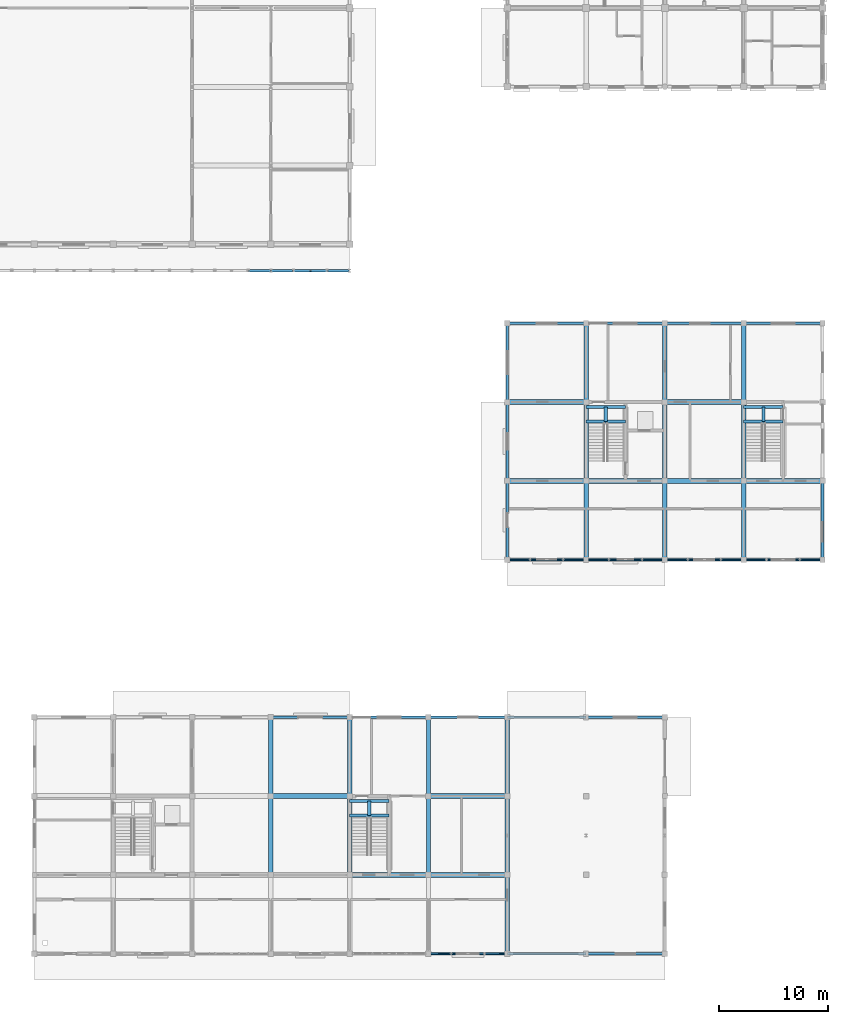
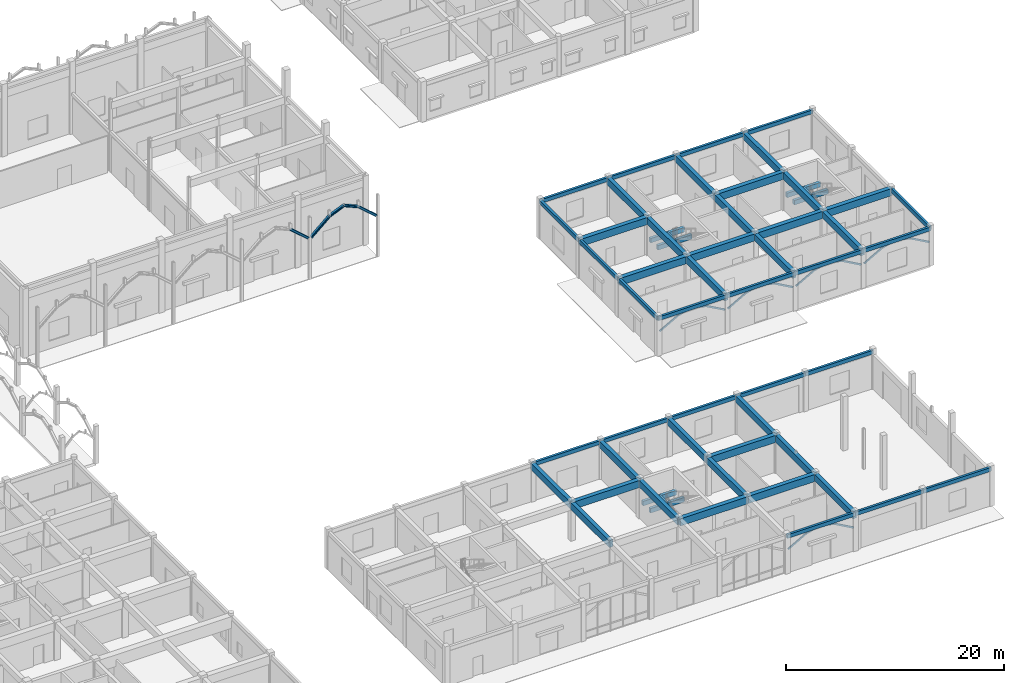
# One storey, part 20 of 138: 57 beams, 25 members.
"""IFC4 building model written with IfcOpenShell, lengths in metres."""

from ifc_helpers import new_model, si_unit, direction, frame, origin, origin_2d, place, context, subcontext, project, spatial, rectangle, hollow_rectangle, i_section, extrude, material, material_profile, profile_set, type_object, element, save


model = new_model("IFC4")

# Units and contexts
model_context = context("Model", 3, precision=1e-05, world=origin(), true_north=direction((0.0, 1.0)))
body_context = subcontext(model_context, "Body", "Model", "MODEL_VIEW")
ifc_project = project(units=[si_unit("LENGTHUNIT", "METRE"), si_unit("AREAUNIT", "SQUARE_METRE"), si_unit("VOLUMEUNIT", "CUBIC_METRE"), si_unit("PLANEANGLEUNIT", "RADIAN"), si_unit("MASSUNIT", "GRAM", prefix="KILO"), si_unit("THERMODYNAMICTEMPERATUREUNIT", "KELVIN"), si_unit("POWERUNIT", "WATT")], contexts=[model_context])

# Site, building, storey
site_placement = place(None, origin())
site = spatial("IfcSite", under=ifc_project, at=site_placement, CompositionType="ELEMENT")
building_placement = place(site_placement, origin())
building = spatial("IfcBuilding", under=site, at=building_placement, Name="Tavuni Mirador Residences", CompositionType="ELEMENT")
storey_placement = place(building_placement, origin())
storey = spatial("IfcBuildingStorey", under=building, at=storey_placement, Name="L00", CompositionType="ELEMENT", Elevation=0.0)

# Beams
ifc_material_1 = material(Name="Precast concrete C40/50", Category="concrete")
ifc_material_profile_1 = material_profile(ifc_material_1, rectangle(XDim=0.300048828125, YDim=0.5, at=origin_2d()), Name="PC 300x500", Category="concrete")
ifc_profile_set_1 = profile_set([ifc_material_profile_1], Name="Precast concrete C40/50")
beam_type_1 = type_object("IfcBeamType", Name="BT-B500", PredefinedType="BEAM", material=ifc_profile_set_1)
for number, where, z_axis, x_axis, name in (
    (1, (75.60009765625, 19.820068359375, 1.820068359375), (1.0, 0.0, 0.0), (0.0, 1.0, 0.0), "HLB1-CS2-L00"),
    (2, (75.60009765625, 21.14990234375, 1.820068359375), (1.0, 0.0, 0.0), (0.0, 1.0, 0.0), "HLB2-CS2-L00"),
):
    element("IfcBeam", number, at=place(storey_placement, frame(where, z_axis=z_axis, x_axis=x_axis)), inside=storey, type_object=beam_type_1, Name=name, PredefinedType="BEAM", context=body_context, shape_type="SweptSolid", body=[
        extrude(rectangle(XDim=0.300048828125, YDim=0.5, at=origin_2d()), origin(), (0.0, 0.0, 1.0), 3.599853515625),
    ])
beam_1_placement = place(storey_placement, frame((77.39990234375, 19.820068359375, 1.820068359375), z_axis=(0.0, 1.0, 0.0), x_axis=(-1.0, 0.0, 0.0)))
element("IfcBeam", 3, at=beam_1_placement, inside=storey, type_object=beam_type_1, Name="HLB3-CS2-L00", PredefinedType="BEAM", context=body_context, shape_type="SweptSolid", body=[
    extrude(rectangle(XDim=0.300048828125, YDim=0.5, at=origin_2d()), origin(), (0.0, 0.0, 1.0), 1.329833984375),
])
for number, where, z_axis, x_axis, name in (
    (4, (97.199951171875, 55.820068359375, 1.820068359375), (1.0, 0.0, 0.0), (0.0, 1.0, 0.0), "HLB1-CN1-L00"),
    (5, (97.199951171875, 57.14990234375, 1.820068359375), (1.0, 0.0, 0.0), (0.0, 1.0, 0.0), "HLB2-CN1-L00"),
):
    element("IfcBeam", number, at=place(storey_placement, frame(where, z_axis=z_axis, x_axis=x_axis)), inside=storey, type_object=beam_type_1, Name=name, PredefinedType="BEAM", context=body_context, shape_type="SweptSolid", body=[
        extrude(rectangle(XDim=0.300048828125, YDim=0.5, at=origin_2d()), origin(), (0.0, 0.0, 1.0), 3.60009765625),
    ])
beam_2_placement = place(storey_placement, frame((99.0, 55.820068359375, 1.820068359375), z_axis=(0.0, 1.0, 0.0), x_axis=(-1.0, 0.0, 0.0)))
element("IfcBeam", 6, at=beam_2_placement, inside=storey, type_object=beam_type_1, Name="HLB3-CN1-L00", PredefinedType="BEAM", context=body_context, shape_type="SweptSolid", body=[
    extrude(rectangle(XDim=0.300048828125, YDim=0.5, at=origin_2d()), origin(), (0.0, 0.0, 1.0), 1.329833984375),
])
for number, where, z_axis, x_axis, name in (
    (7, (111.60009765625, 55.820068359375, 1.820068359375), (1.0, 0.0, 0.0), (0.0, 1.0, 0.0), "HLB1-CN2-L00"),
    (8, (111.60009765625, 57.14990234375, 1.820068359375), (1.0, 0.0, 0.0), (0.0, 1.0, 0.0), "HLB2-CN2-L00"),
):
    element("IfcBeam", number, at=place(storey_placement, frame(where, z_axis=z_axis, x_axis=x_axis)), inside=storey, type_object=beam_type_1, Name=name, PredefinedType="BEAM", context=body_context, shape_type="SweptSolid", body=[
        extrude(rectangle(XDim=0.300048828125, YDim=0.5, at=origin_2d()), origin(), (0.0, 0.0, 1.0), 3.599853515625),
    ])
beam_3_placement = place(storey_placement, frame((113.39990234375, 55.820068359375, 1.820068359375), z_axis=(0.0, 1.0, 0.0), x_axis=(-1.0, 0.0, 0.0)))
element("IfcBeam", 9, at=beam_3_placement, inside=storey, type_object=beam_type_1, Name="HLB3-CN2-L00", PredefinedType="BEAM", context=body_context, shape_type="SweptSolid", body=[
    extrude(rectangle(XDim=0.300048828125, YDim=0.5, at=origin_2d()), origin(), (0.0, 0.0, 1.0), 1.329833984375),
])
ifc_material_profile_2 = material_profile(ifc_material_1, rectangle(XDim=0.39990234375, YDim=0.75, at=origin_2d()), Name="RC 400x750", Category="concrete")
ifc_profile_set_2 = profile_set([ifc_material_profile_2], Name="Precast concrete C40/50")
beam_type_2 = type_object("IfcBeamType", Name="BT-G750", PredefinedType="USERDEFINED", material=ifc_profile_set_2)
beam_4_placement = place(storey_placement, frame((97.199951171875, 43.199951171875, 3.885009765625), z_axis=(0.0, 1.0, 0.0), x_axis=(-1.0, 0.0, 0.0)))
element("IfcBeam", 10, at=beam_4_placement, inside=storey, type_object=beam_type_2, Name="BMY-PAV-NURS-L00-01-00", ObjectType="GIRDER", PredefinedType="USERDEFINED", context=body_context, shape_type="SweptSolid", body=[
    extrude(rectangle(XDim=0.39990234375, YDim=0.75, at=origin_2d()), origin(), (0.0, 0.0, 1.0), 7.199951171875),
])
beam_5_placement = place(storey_placement, frame((97.199951171875, 50.39990234375, 3.885009765625), z_axis=(0.0, 1.0, 0.0), x_axis=(-1.0, 0.0, 0.0)))
element("IfcBeam", 11, at=beam_5_placement, inside=storey, type_object=beam_type_2, Name="BMY-PAV-NURS-L00-01-01", ObjectType="GIRDER", PredefinedType="USERDEFINED", context=body_context, shape_type="SweptSolid", body=[
    extrude(rectangle(XDim=0.39990234375, YDim=0.75, at=origin_2d()), origin(), (0.0, 0.0, 1.0), 7.2001953125),
])
for number, where, z_axis, x_axis, name in (
    (12, (97.199951171875, 57.60009765625, 3.885009765625), (0.0, 1.0, 0.0), (-1.0, 0.0, 0.0), "BMY-PAV-NURS-L00-01-02"),
    (13, (104.39990234375, 43.199951171875, 3.885009765625), (0.0, 1.0, 0.0), (-1.0, 0.0, 0.0), "BMY-PAV-NURS-L00-02-00"),
):
    element("IfcBeam", number, at=place(storey_placement, frame(where, z_axis=z_axis, x_axis=x_axis)), inside=storey, type_object=beam_type_2, Name=name, ObjectType="GIRDER", PredefinedType="USERDEFINED", context=body_context, shape_type="SweptSolid", body=[
        extrude(rectangle(XDim=0.39990234375, YDim=0.75, at=origin_2d()), origin(), (0.0, 0.0, 1.0), 7.199951171875),
    ])
beam_6_placement = place(storey_placement, frame((104.39990234375, 50.39990234375, 3.885009765625), z_axis=(0.0, 1.0, 0.0), x_axis=(-1.0, 0.0, 0.0)))
element("IfcBeam", 14, at=beam_6_placement, inside=storey, type_object=beam_type_2, Name="BMY-PAV-NURS-L00-02-01", ObjectType="GIRDER", PredefinedType="USERDEFINED", context=body_context, shape_type="SweptSolid", body=[
    extrude(rectangle(XDim=0.39990234375, YDim=0.75, at=origin_2d()), origin(), (0.0, 0.0, 1.0), 7.2001953125),
])
for number, where, z_axis, x_axis, name in (
    (15, (104.39990234375, 57.60009765625, 3.885009765625), (0.0, 1.0, 0.0), (-1.0, 0.0, 0.0), "BMY-PAV-NURS-L00-02-02"),
    (16, (111.60009765625, 43.199951171875, 3.885009765625), (0.0, 1.0, 0.0), (-1.0, 0.0, 0.0), "BMY-PAV-NURS-L00-03-00"),
):
    element("IfcBeam", number, at=place(storey_placement, frame(where, z_axis=z_axis, x_axis=x_axis)), inside=storey, type_object=beam_type_2, Name=name, ObjectType="GIRDER", PredefinedType="USERDEFINED", context=body_context, shape_type="SweptSolid", body=[
        extrude(rectangle(XDim=0.39990234375, YDim=0.75, at=origin_2d()), origin(), (0.0, 0.0, 1.0), 7.199951171875),
    ])
beam_7_placement = place(storey_placement, frame((111.60009765625, 50.39990234375, 3.885009765625), z_axis=(0.0, 1.0, 0.0), x_axis=(-1.0, 0.0, 0.0)))
element("IfcBeam", 17, at=beam_7_placement, inside=storey, type_object=beam_type_2, Name="BMY-PAV-NURS-L00-03-01", ObjectType="GIRDER", PredefinedType="USERDEFINED", context=body_context, shape_type="SweptSolid", body=[
    extrude(rectangle(XDim=0.39990234375, YDim=0.75, at=origin_2d()), origin(), (0.0, 0.0, 1.0), 7.2001953125),
])
beam_8_placement = place(storey_placement, frame((111.60009765625, 57.60009765625, 3.885009765625), z_axis=(0.0, 1.0, 0.0), x_axis=(-1.0, 0.0, 0.0)))
element("IfcBeam", 18, at=beam_8_placement, inside=storey, type_object=beam_type_2, Name="BMY-PAV-NURS-L00-03-02", ObjectType="GIRDER", PredefinedType="USERDEFINED", context=body_context, shape_type="SweptSolid", body=[
    extrude(rectangle(XDim=0.39990234375, YDim=0.75, at=origin_2d()), origin(), (0.0, 0.0, 1.0), 7.199951171875),
])
beam_9_placement = place(storey_placement, frame((68.39990234375, 14.39990234375, 3.885009765625), z_axis=(0.0, 1.0, 0.0), x_axis=(-1.0, 0.0, 0.0)))
element("IfcBeam", 19, at=beam_9_placement, inside=storey, type_object=beam_type_2, Name="BMY-PAV-SHOP-L00-03-01", ObjectType="GIRDER", PredefinedType="USERDEFINED", context=body_context, shape_type="SweptSolid", body=[
    extrude(rectangle(XDim=0.39990234375, YDim=0.75, at=origin_2d()), origin(), (0.0, 0.0, 1.0), 7.2001953125),
])
beam_10_placement = place(storey_placement, frame((68.39990234375, 21.60009765625, 3.885009765625), z_axis=(0.0, 1.0, 0.0), x_axis=(-1.0, 0.0, 0.0)))
element("IfcBeam", 20, at=beam_10_placement, inside=storey, type_object=beam_type_2, Name="BMY-PAV-SHOP-L00-03-02", ObjectType="GIRDER", PredefinedType="USERDEFINED", context=body_context, shape_type="SweptSolid", body=[
    extrude(rectangle(XDim=0.39990234375, YDim=0.75, at=origin_2d()), origin(), (0.0, 0.0, 1.0), 7.199951171875),
])
beam_11_placement = place(storey_placement, frame((75.60009765625, 14.39990234375, 3.885009765625), z_axis=(0.0, 1.0, 0.0), x_axis=(-1.0, 0.0, 0.0)))
element("IfcBeam", 21, at=beam_11_placement, inside=storey, type_object=beam_type_2, Name="BMY-PAV-SHOP-L00-04-01", ObjectType="GIRDER", PredefinedType="USERDEFINED", context=body_context, shape_type="SweptSolid", body=[
    extrude(rectangle(XDim=0.39990234375, YDim=0.75, at=origin_2d()), origin(), (0.0, 0.0, 1.0), 7.2001953125),
])
beam_12_placement = place(storey_placement, frame((75.60009765625, 21.60009765625, 3.885009765625), z_axis=(0.0, 1.0, 0.0), x_axis=(-1.0, 0.0, 0.0)))
element("IfcBeam", 22, at=beam_12_placement, inside=storey, type_object=beam_type_2, Name="BMY-PAV-SHOP-L00-04-02", ObjectType="GIRDER", PredefinedType="USERDEFINED", context=body_context, shape_type="SweptSolid", body=[
    extrude(rectangle(XDim=0.39990234375, YDim=0.75, at=origin_2d()), origin(), (0.0, 0.0, 1.0), 7.199951171875),
])
beam_13_placement = place(storey_placement, frame((82.800048828125, 14.39990234375, 3.885009765625), z_axis=(0.0, 1.0, 0.0), x_axis=(-1.0, 0.0, 0.0)))
element("IfcBeam", 23, at=beam_13_placement, inside=storey, type_object=beam_type_2, Name="BMY-PAV-SHOP-L00-05-01", ObjectType="GIRDER", PredefinedType="USERDEFINED", context=body_context, shape_type="SweptSolid", body=[
    extrude(rectangle(XDim=0.39990234375, YDim=0.75, at=origin_2d()), origin(), (0.0, 0.0, 1.0), 7.2001953125),
])
for number, where, z_axis, x_axis, name in (
    (24, (82.800048828125, 21.60009765625, 3.885009765625), (0.0, 1.0, 0.0), (-1.0, 0.0, 0.0), "BMY-PAV-SHOP-L00-05-02"),
    (25, (90.0, 7.199951171875, 3.885009765625), (0.0, 1.0, 0.0), (-1.0, 0.0, 0.0), "BMY-PAV-SHOP-L00-06-00"),
):
    element("IfcBeam", number, at=place(storey_placement, frame(where, z_axis=z_axis, x_axis=x_axis)), inside=storey, type_object=beam_type_2, Name=name, ObjectType="GIRDER", PredefinedType="USERDEFINED", context=body_context, shape_type="SweptSolid", body=[
        extrude(rectangle(XDim=0.39990234375, YDim=0.75, at=origin_2d()), origin(), (0.0, 0.0, 1.0), 7.199951171875),
    ])
beam_14_placement = place(storey_placement, frame((90.0, 14.39990234375, 3.885009765625), z_axis=(0.0, 1.0, 0.0), x_axis=(-1.0, 0.0, 0.0)))
element("IfcBeam", 26, at=beam_14_placement, inside=storey, type_object=beam_type_2, Name="BMY-PAV-SHOP-L00-06-01", ObjectType="GIRDER", PredefinedType="USERDEFINED", context=body_context, shape_type="SweptSolid", body=[
    extrude(rectangle(XDim=0.39990234375, YDim=0.75, at=origin_2d()), origin(), (0.0, 0.0, 1.0), 7.2001953125),
])
beam_15_placement = place(storey_placement, frame((90.0, 21.60009765625, 3.885009765625), z_axis=(0.0, 1.0, 0.0), x_axis=(-1.0, 0.0, 0.0)))
element("IfcBeam", 27, at=beam_15_placement, inside=storey, type_object=beam_type_2, Name="BMY-PAV-SHOP-L00-06-02", ObjectType="GIRDER", PredefinedType="USERDEFINED", context=body_context, shape_type="SweptSolid", body=[
    extrude(rectangle(XDim=0.39990234375, YDim=0.75, at=origin_2d()), origin(), (0.0, 0.0, 1.0), 7.199951171875),
])
ifc_material_profile_3 = material_profile(ifc_material_1, rectangle(XDim=0.449951171875, YDim=0.800048828125, at=origin_2d()), Name="RC 450x800", Category="concrete")
ifc_profile_set_3 = profile_set([ifc_material_profile_3], Name="Precast concrete C40/50")
beam_type_3 = type_object("IfcBeamType", Name="BT-G800", PredefinedType="USERDEFINED", material=ifc_profile_set_3)
for number, where, z_axis, x_axis, name in (
    (28, (90.0, 50.39990234375, 3.860107421875), (1.0, 0.0, 0.0), (0.0, 1.0, 0.0), "BMX-PAV-NURS-L00-00-01"),
    (29, (97.199951171875, 50.39990234375, 3.860107421875), (1.0, 0.0, 0.0), (0.0, 1.0, 0.0), "BMX-PAV-NURS-L00-01-01"),
):
    element("IfcBeam", number, at=place(storey_placement, frame(where, z_axis=z_axis, x_axis=x_axis)), inside=storey, type_object=beam_type_3, Name=name, ObjectType="GIRDER", PredefinedType="USERDEFINED", context=body_context, shape_type="SweptSolid", body=[
        extrude(rectangle(XDim=0.449951171875, YDim=0.800048828125, at=origin_2d()), origin(), (0.0, 0.0, 1.0), 7.199951171875),
    ])
beam_16_placement = place(storey_placement, frame((104.39990234375, 50.39990234375, 3.860107421875), z_axis=(1.0, 0.0, 0.0), x_axis=(0.0, 1.0, 0.0)))
element("IfcBeam", 30, at=beam_16_placement, inside=storey, type_object=beam_type_3, Name="BMX-PAV-NURS-L00-02-01", ObjectType="GIRDER", PredefinedType="USERDEFINED", context=body_context, shape_type="SweptSolid", body=[
    extrude(rectangle(XDim=0.449951171875, YDim=0.800048828125, at=origin_2d()), origin(), (0.0, 0.0, 1.0), 7.2001953125),
])
for number, where, z_axis, x_axis, name in (
    (31, (111.60009765625, 50.39990234375, 3.860107421875), (1.0, 0.0, 0.0), (0.0, 1.0, 0.0), "BMX-PAV-NURS-L00-03-01"),
    (32, (90.0, 57.60009765625, 3.860107421875), (1.0, 0.0, 0.0), (0.0, 1.0, 0.0), "BMX-PAV-NURS-L00-00-02"),
):
    element("IfcBeam", number, at=place(storey_placement, frame(where, z_axis=z_axis, x_axis=x_axis)), inside=storey, type_object=beam_type_3, Name=name, ObjectType="GIRDER", PredefinedType="USERDEFINED", context=body_context, shape_type="SweptSolid", body=[
        extrude(rectangle(XDim=0.449951171875, YDim=0.800048828125, at=origin_2d()), origin(), (0.0, 0.0, 1.0), 7.199951171875),
    ])
beam_17_placement = place(storey_placement, frame((104.39990234375, 57.60009765625, 3.860107421875), z_axis=(1.0, 0.0, 0.0), x_axis=(0.0, 1.0, 0.0)))
element("IfcBeam", 33, at=beam_17_placement, inside=storey, type_object=beam_type_3, Name="BMX-PAV-NURS-L00-02-02", ObjectType="GIRDER", PredefinedType="USERDEFINED", context=body_context, shape_type="SweptSolid", body=[
    extrude(rectangle(XDim=0.449951171875, YDim=0.800048828125, at=origin_2d()), origin(), (0.0, 0.0, 1.0), 7.2001953125),
])
for number, where, z_axis, x_axis, name in (
    (34, (75.60009765625, 14.39990234375, 3.860107421875), (1.0, 0.0, 0.0), (0.0, 1.0, 0.0), "BMX-PAV-SHOP-L00-04-01"),
    (35, (82.800048828125, 14.39990234375, 3.860107421875), (1.0, 0.0, 0.0), (0.0, 1.0, 0.0), "BMX-PAV-SHOP-L00-05-01"),
):
    element("IfcBeam", number, at=place(storey_placement, frame(where, z_axis=z_axis, x_axis=x_axis)), inside=storey, type_object=beam_type_3, Name=name, ObjectType="GIRDER", PredefinedType="USERDEFINED", context=body_context, shape_type="SweptSolid", body=[
        extrude(rectangle(XDim=0.449951171875, YDim=0.800048828125, at=origin_2d()), origin(), (0.0, 0.0, 1.0), 7.199951171875),
    ])
beam_18_placement = place(storey_placement, frame((68.39990234375, 21.60009765625, 3.860107421875), z_axis=(1.0, 0.0, 0.0), x_axis=(0.0, 1.0, 0.0)))
element("IfcBeam", 36, at=beam_18_placement, inside=storey, type_object=beam_type_3, Name="BMX-PAV-SHOP-L00-03-02", ObjectType="GIRDER", PredefinedType="USERDEFINED", context=body_context, shape_type="SweptSolid", body=[
    extrude(rectangle(XDim=0.449951171875, YDim=0.800048828125, at=origin_2d()), origin(), (0.0, 0.0, 1.0), 7.2001953125),
])
beam_19_placement = place(storey_placement, frame((82.800048828125, 21.60009765625, 3.860107421875), z_axis=(1.0, 0.0, 0.0), x_axis=(0.0, 1.0, 0.0)))
element("IfcBeam", 37, at=beam_19_placement, inside=storey, type_object=beam_type_3, Name="BMX-PAV-SHOP-L00-05-02", ObjectType="GIRDER", PredefinedType="USERDEFINED", context=body_context, shape_type="SweptSolid", body=[
    extrude(rectangle(XDim=0.449951171875, YDim=0.800048828125, at=origin_2d()), origin(), (0.0, 0.0, 1.0), 7.199951171875),
])
ifc_material_profile_4 = material_profile(ifc_material_1, rectangle(XDim=0.25, YDim=0.419921875, at=origin_2d()), Name="PC 250x420", Category="concrete")
ifc_profile_set_4 = profile_set([ifc_material_profile_4], Name="Precast concrete C40/50")
beam_type_4 = type_object("IfcBeamType", Name="BT-SP420", PredefinedType="SPANDREL", material=ifc_profile_set_4)
for number, where, z_axis, x_axis, name in (
    (38, (90.0, 43.199951171875, 4.050048828125), (1.0, 0.0, 0.0), (0.0, 1.0, 0.0), "BMX-PAV-NURS-L00-00-00"),
    (39, (97.199951171875, 43.199951171875, 4.050048828125), (1.0, 0.0, 0.0), (0.0, 1.0, 0.0), "BMX-PAV-NURS-L00-01-00"),
):
    element("IfcBeam", number, at=place(storey_placement, frame(where, z_axis=z_axis, x_axis=x_axis)), inside=storey, type_object=beam_type_4, Name=name, PredefinedType="SPANDREL", context=body_context, shape_type="SweptSolid", body=[
        extrude(rectangle(XDim=0.25, YDim=0.419921875, at=origin_2d()), origin(), (0.0, 0.0, 1.0), 7.199951171875),
    ])
beam_20_placement = place(storey_placement, frame((104.39990234375, 43.199951171875, 4.050048828125), z_axis=(1.0, 0.0, 0.0), x_axis=(0.0, 1.0, 0.0)))
element("IfcBeam", 40, at=beam_20_placement, inside=storey, type_object=beam_type_4, Name="BMX-PAV-NURS-L00-02-00", PredefinedType="SPANDREL", context=body_context, shape_type="SweptSolid", body=[
    extrude(rectangle(XDim=0.25, YDim=0.419921875, at=origin_2d()), origin(), (0.0, 0.0, 1.0), 7.2001953125),
])
for number, where, z_axis, x_axis, name in (
    (41, (111.60009765625, 43.199951171875, 4.050048828125), (1.0, 0.0, 0.0), (0.0, 1.0, 0.0), "BMX-PAV-NURS-L00-03-00"),
    (42, (90.0, 64.800048828125, 4.050048828125), (1.0, 0.0, 0.0), (0.0, 1.0, 0.0), "BMX-PAV-NURS-L00-00-03"),
    (43, (97.199951171875, 64.800048828125, 4.050048828125), (1.0, 0.0, 0.0), (0.0, 1.0, 0.0), "BMX-PAV-NURS-L00-01-03"),
):
    element("IfcBeam", number, at=place(storey_placement, frame(where, z_axis=z_axis, x_axis=x_axis)), inside=storey, type_object=beam_type_4, Name=name, PredefinedType="SPANDREL", context=body_context, shape_type="SweptSolid", body=[
        extrude(rectangle(XDim=0.25, YDim=0.419921875, at=origin_2d()), origin(), (0.0, 0.0, 1.0), 7.199951171875),
    ])
beam_21_placement = place(storey_placement, frame((104.39990234375, 64.800048828125, 4.050048828125), z_axis=(1.0, 0.0, 0.0), x_axis=(0.0, 1.0, 0.0)))
element("IfcBeam", 44, at=beam_21_placement, inside=storey, type_object=beam_type_4, Name="BMX-PAV-NURS-L00-02-03", PredefinedType="SPANDREL", context=body_context, shape_type="SweptSolid", body=[
    extrude(rectangle(XDim=0.25, YDim=0.419921875, at=origin_2d()), origin(), (0.0, 0.0, 1.0), 7.2001953125),
])
for number, where, z_axis, x_axis, name in (
    (45, (111.60009765625, 64.800048828125, 4.050048828125), (1.0, 0.0, 0.0), (0.0, 1.0, 0.0), "BMX-PAV-NURS-L00-03-03"),
    (46, (90.0, 43.199951171875, 4.050048828125), (0.0, 1.0, 0.0), (-1.0, 0.0, 0.0), "BMY-PAV-NURS-L00-00-00"),
):
    element("IfcBeam", number, at=place(storey_placement, frame(where, z_axis=z_axis, x_axis=x_axis)), inside=storey, type_object=beam_type_4, Name=name, PredefinedType="SPANDREL", context=body_context, shape_type="SweptSolid", body=[
        extrude(rectangle(XDim=0.25, YDim=0.419921875, at=origin_2d()), origin(), (0.0, 0.0, 1.0), 7.199951171875),
    ])
beam_22_placement = place(storey_placement, frame((90.0, 50.39990234375, 4.050048828125), z_axis=(0.0, 1.0, 0.0), x_axis=(-1.0, 0.0, 0.0)))
element("IfcBeam", 47, at=beam_22_placement, inside=storey, type_object=beam_type_4, Name="BMY-PAV-NURS-L00-00-01", PredefinedType="SPANDREL", context=body_context, shape_type="SweptSolid", body=[
    extrude(rectangle(XDim=0.25, YDim=0.419921875, at=origin_2d()), origin(), (0.0, 0.0, 1.0), 7.2001953125),
])
for number, where, z_axis, x_axis, name in (
    (48, (90.0, 57.60009765625, 4.050048828125), (0.0, 1.0, 0.0), (-1.0, 0.0, 0.0), "BMY-PAV-NURS-L00-00-02"),
    (49, (118.800048828125, 43.199951171875, 4.050048828125), (0.0, 1.0, 0.0), (-1.0, 0.0, 0.0), "BMY-PAV-NURS-L00-04-00"),
    (50, (82.800048828125, 7.199951171875, 4.050048828125), (1.0, 0.0, 0.0), (0.0, 1.0, 0.0), "BMX-PAV-SHOP-L00-05-00"),
    (51, (90.0, 7.199951171875, 4.050048828125), (1.0, 0.0, 0.0), (0.0, 1.0, 0.0), "BMX-PAV-SHOP-L00-06-00"),
    (52, (97.199951171875, 7.199951171875, 4.050048828125), (1.0, 0.0, 0.0), (0.0, 1.0, 0.0), "BMX-PAV-SHOP-L00-07-00"),
):
    element("IfcBeam", number, at=place(storey_placement, frame(where, z_axis=z_axis, x_axis=x_axis)), inside=storey, type_object=beam_type_4, Name=name, PredefinedType="SPANDREL", context=body_context, shape_type="SweptSolid", body=[
        extrude(rectangle(XDim=0.25, YDim=0.419921875, at=origin_2d()), origin(), (0.0, 0.0, 1.0), 7.199951171875),
    ])
beam_23_placement = place(storey_placement, frame((68.39990234375, 28.800048828125, 4.050048828125), z_axis=(1.0, 0.0, 0.0), x_axis=(0.0, 1.0, 0.0)))
element("IfcBeam", 53, at=beam_23_placement, inside=storey, type_object=beam_type_4, Name="BMX-PAV-SHOP-L00-03-03", PredefinedType="SPANDREL", context=body_context, shape_type="SweptSolid", body=[
    extrude(rectangle(XDim=0.25, YDim=0.419921875, at=origin_2d()), origin(), (0.0, 0.0, 1.0), 7.2001953125),
])
for number, where, z_axis, x_axis, name in (
    (54, (75.60009765625, 28.800048828125, 4.050048828125), (1.0, 0.0, 0.0), (0.0, 1.0, 0.0), "BMX-PAV-SHOP-L00-04-03"),
    (55, (82.800048828125, 28.800048828125, 4.050048828125), (1.0, 0.0, 0.0), (0.0, 1.0, 0.0), "BMX-PAV-SHOP-L00-05-03"),
    (56, (90.0, 28.800048828125, 4.050048828125), (1.0, 0.0, 0.0), (0.0, 1.0, 0.0), "BMX-PAV-SHOP-L00-06-03"),
    (57, (97.199951171875, 28.800048828125, 4.050048828125), (1.0, 0.0, 0.0), (0.0, 1.0, 0.0), "BMX-PAV-SHOP-L00-07-03"),
):
    element("IfcBeam", number, at=place(storey_placement, frame(where, z_axis=z_axis, x_axis=x_axis)), inside=storey, type_object=beam_type_4, Name=name, PredefinedType="SPANDREL", context=body_context, shape_type="SweptSolid", body=[
        extrude(rectangle(XDim=0.25, YDim=0.419921875, at=origin_2d()), origin(), (0.0, 0.0, 1.0), 7.199951171875),
    ])

# Members
ifc_material_2 = material(Name="Structural steel S355", Category="steel")
ifc_material_profile_5 = material_profile(ifc_material_2, hollow_rectangle(XDim=0.10009765625, YDim=0.179931640625, WallThickness=0.008056640625, at=origin_2d()), Name="RHS 180x100x8.0", Category="steel")
ifc_profile_set_5 = profile_set([ifc_material_profile_5], Name="Structural steel S355")
member_type_1 = type_object("IfcMemberType", Name="MT-BR-RHS180", PredefinedType="BRACE", material=ifc_profile_set_5)
member_1_placement = place(storey_placement, frame((82.949951171875, 7.199951171875, 2.550048828125), z_axis=(0.872921377434, 0.0, 0.487860911346), x_axis=(0.0, 1.0, 0.0)))
element("IfcMember", 58, at=member_1_placement, inside=storey, type_object=member_type_1, Name="ARCH-SHOP-S-05-H1", PredefinedType="BRACE", context=body_context, shape_type="SweptSolid", body=[
    extrude(hollow_rectangle(XDim=0.10009765625, YDim=0.179931640625, WallThickness=0.008056640625, at=origin_2d()), origin(), (0.0, 0.0, 1.0), 2.21337890625),
])
member_2_placement = place(storey_placement, frame((84.882080078125, 7.199951171875, 3.6298828125), z_axis=(0.96375516692, 0.0, 0.266788264801), x_axis=(0.0, 1.0, 0.0)))
element("IfcMember", 59, at=member_2_placement, inside=storey, type_object=member_type_1, Name="ARCH-SHOP-S-05-S1", PredefinedType="BRACE", context=body_context, shape_type="SweptSolid", body=[
    extrude(hollow_rectangle(XDim=0.10009765625, YDim=0.179931640625, WallThickness=0.008056640625, at=origin_2d()), origin(), (0.0, 0.0, 1.0), 1.574951171875),
])
member_3_placement = place(storey_placement, frame((86.39990234375, 7.199951171875, 4.050048828125), z_axis=(0.9637661981, 0.0, -0.266748412179), x_axis=(0.0, 1.0, 0.0)))
element("IfcMember", 60, at=member_3_placement, inside=storey, type_object=member_type_1, Name="ARCH-SHOP-S-05-S2", PredefinedType="BRACE", context=body_context, shape_type="SweptSolid", body=[
    extrude(hollow_rectangle(XDim=0.10009765625, YDim=0.179931640625, WallThickness=0.008056640625, at=origin_2d()), origin(), (0.0, 0.0, 1.0), 1.5751953125),
])
for number, where, z_axis, x_axis, name in (
    (61, (87.91796875, 7.199951171875, 3.6298828125), (0.872921377434, 0.0, -0.487860911346), (0.0, 1.0, 0.0), "ARCH-SHOP-S-05-H2"),
    (62, (90.14990234375, 43.199951171875, 2.550048828125), (0.872921377434, 0.0, 0.487860911346), (0.0, 1.0, 0.0), "ARCH-NURS-S-00-H1"),
):
    element("IfcMember", number, at=place(storey_placement, frame(where, z_axis=z_axis, x_axis=x_axis)), inside=storey, type_object=member_type_1, Name=name, PredefinedType="BRACE", context=body_context, shape_type="SweptSolid", body=[
        extrude(hollow_rectangle(XDim=0.10009765625, YDim=0.179931640625, WallThickness=0.008056640625, at=origin_2d()), origin(), (0.0, 0.0, 1.0), 2.21337890625),
    ])
member_4_placement = place(storey_placement, frame((92.08203125, 43.199951171875, 3.6298828125), z_axis=(0.9637661981, 0.0, 0.266748412179), x_axis=(0.0, 1.0, 0.0)))
element("IfcMember", 63, at=member_4_placement, inside=storey, type_object=member_type_1, Name="ARCH-NURS-S-00-S1", PredefinedType="BRACE", context=body_context, shape_type="SweptSolid", body=[
    extrude(hollow_rectangle(XDim=0.10009765625, YDim=0.179931640625, WallThickness=0.008056640625, at=origin_2d()), origin(), (0.0, 0.0, 1.0), 1.5751953125),
])
member_5_placement = place(storey_placement, frame((93.60009765625, 43.199951171875, 4.050048828125), z_axis=(0.96375516692, 0.0, -0.266788264801), x_axis=(0.0, 1.0, 0.0)))
element("IfcMember", 64, at=member_5_placement, inside=storey, type_object=member_type_1, Name="ARCH-NURS-S-00-S2", PredefinedType="BRACE", context=body_context, shape_type="SweptSolid", body=[
    extrude(hollow_rectangle(XDim=0.10009765625, YDim=0.179931640625, WallThickness=0.008056640625, at=origin_2d()), origin(), (0.0, 0.0, 1.0), 1.574951171875),
])
member_6_placement = place(storey_placement, frame((95.117919921875, 43.199951171875, 3.6298828125), z_axis=(0.872921377434, 0.0, -0.487860911346), x_axis=(0.0, 1.0, 0.0)))
element("IfcMember", 65, at=member_6_placement, inside=storey, type_object=member_type_1, Name="ARCH-NURS-S-00-H2", PredefinedType="BRACE", context=body_context, shape_type="SweptSolid", body=[
    extrude(hollow_rectangle(XDim=0.10009765625, YDim=0.179931640625, WallThickness=0.008056640625, at=origin_2d()), origin(), (0.0, 0.0, 1.0), 2.21337890625),
])
member_7_placement = place(storey_placement, frame((97.35009765625, 43.199951171875, 2.550048828125), z_axis=(0.872895121114, 0.0, 0.487907888372), x_axis=(0.0, 1.0, 0.0)))
element("IfcMember", 66, at=member_7_placement, inside=storey, type_object=member_type_1, Name="ARCH-NURS-S-01-H1", PredefinedType="BRACE", context=body_context, shape_type="SweptSolid", body=[
    extrude(hollow_rectangle(XDim=0.10009765625, YDim=0.179931640625, WallThickness=0.008056640625, at=origin_2d()), origin(), (0.0, 0.0, 1.0), 2.213134765625),
])
for number, where, z_axis, x_axis, name in (
    (67, (99.281982421875, 43.199951171875, 3.6298828125), (0.9637661981, 0.0, 0.266748412179), (0.0, 1.0, 0.0), "ARCH-NURS-S-01-S1"),
    (68, (100.800048828125, 43.199951171875, 4.050048828125), (0.9637661981, 0.0, -0.266748412179), (0.0, 1.0, 0.0), "ARCH-NURS-S-01-S2"),
):
    element("IfcMember", number, at=place(storey_placement, frame(where, z_axis=z_axis, x_axis=x_axis)), inside=storey, type_object=member_type_1, Name=name, PredefinedType="BRACE", context=body_context, shape_type="SweptSolid", body=[
        extrude(hollow_rectangle(XDim=0.10009765625, YDim=0.179931640625, WallThickness=0.008056640625, at=origin_2d()), origin(), (0.0, 0.0, 1.0), 1.5751953125),
    ])
for number, where, z_axis, x_axis, name in (
    (69, (102.318115234375, 43.199951171875, 3.6298828125), (0.872895121114, 0.0, -0.487907888372), (0.0, 1.0, 0.0), "ARCH-NURS-S-01-H2"),
    (70, (104.550048828125, 43.199951171875, 2.550048828125), (0.872895121114, 0.0, 0.487907888372), (0.0, 1.0, 0.0), "ARCH-NURS-S-02-H1"),
):
    element("IfcMember", number, at=place(storey_placement, frame(where, z_axis=z_axis, x_axis=x_axis)), inside=storey, type_object=member_type_1, Name=name, PredefinedType="BRACE", context=body_context, shape_type="SweptSolid", body=[
        extrude(hollow_rectangle(XDim=0.10009765625, YDim=0.179931640625, WallThickness=0.008056640625, at=origin_2d()), origin(), (0.0, 0.0, 1.0), 2.213134765625),
    ])
for number, where, z_axis, x_axis, name in (
    (71, (106.48193359375, 43.199951171875, 3.6298828125), (0.9637661981, 0.0, 0.266748412179), (0.0, 1.0, 0.0), "ARCH-NURS-S-02-S1"),
    (72, (108.0, 43.199951171875, 4.050048828125), (0.9637661981, 0.0, -0.266748412179), (0.0, 1.0, 0.0), "ARCH-NURS-S-02-S2"),
):
    element("IfcMember", number, at=place(storey_placement, frame(where, z_axis=z_axis, x_axis=x_axis)), inside=storey, type_object=member_type_1, Name=name, PredefinedType="BRACE", context=body_context, shape_type="SweptSolid", body=[
        extrude(hollow_rectangle(XDim=0.10009765625, YDim=0.179931640625, WallThickness=0.008056640625, at=origin_2d()), origin(), (0.0, 0.0, 1.0), 1.5751953125),
    ])
for number, where, z_axis, x_axis, name in (
    (73, (109.51806640625, 43.199951171875, 3.6298828125), (0.872895121114, 0.0, -0.487907888372), (0.0, 1.0, 0.0), "ARCH-NURS-S-02-H2"),
    (74, (111.75, 43.199951171875, 2.550048828125), (0.872895121114, 0.0, 0.487907888372), (0.0, 1.0, 0.0), "ARCH-NURS-S-03-H1"),
):
    element("IfcMember", number, at=place(storey_placement, frame(where, z_axis=z_axis, x_axis=x_axis)), inside=storey, type_object=member_type_1, Name=name, PredefinedType="BRACE", context=body_context, shape_type="SweptSolid", body=[
        extrude(hollow_rectangle(XDim=0.10009765625, YDim=0.179931640625, WallThickness=0.008056640625, at=origin_2d()), origin(), (0.0, 0.0, 1.0), 2.213134765625),
    ])
for number, where, z_axis, x_axis, name in (
    (75, (113.681884765625, 43.199951171875, 3.6298828125), (0.9637661981, 0.0, 0.266748412179), (0.0, 1.0, 0.0), "ARCH-NURS-S-03-S1"),
    (76, (115.199951171875, 43.199951171875, 4.050048828125), (0.9637661981, 0.0, -0.266748412179), (0.0, 1.0, 0.0), "ARCH-NURS-S-03-S2"),
):
    element("IfcMember", number, at=place(storey_placement, frame(where, z_axis=z_axis, x_axis=x_axis)), inside=storey, type_object=member_type_1, Name=name, PredefinedType="BRACE", context=body_context, shape_type="SweptSolid", body=[
        extrude(hollow_rectangle(XDim=0.10009765625, YDim=0.179931640625, WallThickness=0.008056640625, at=origin_2d()), origin(), (0.0, 0.0, 1.0), 1.5751953125),
    ])
member_8_placement = place(storey_placement, frame((116.718017578125, 43.199951171875, 3.6298828125), z_axis=(0.872895121114, 0.0, -0.487907888372), x_axis=(0.0, 1.0, 0.0)))
element("IfcMember", 77, at=member_8_placement, inside=storey, type_object=member_type_1, Name="ARCH-NURS-S-03-H2", PredefinedType="BRACE", context=body_context, shape_type="SweptSolid", body=[
    extrude(hollow_rectangle(XDim=0.10009765625, YDim=0.179931640625, WallThickness=0.008056640625, at=origin_2d()), origin(), (0.0, 0.0, 1.0), 2.213134765625),
])
ifc_material_profile_6 = material_profile(ifc_material_2, i_section(OverallWidth=0.239990234375, OverallDepth=0.22998046875, WebThickness=0.007568359375, FlangeThickness=0.011962890625, FilletRadius=0.02099609375, at=origin_2d()), Name="HEA 240", Category="steel")
ifc_profile_set_6 = profile_set([ifc_material_profile_6], Name="Structural steel S355")
member_type_2 = type_object("IfcMemberType", Name="MT-CH-HEA240", PredefinedType="CHORD", material=ifc_profile_set_6)
for number, where, z_axis, x_axis, name in (
    (78, (66.331298828125, 69.60009765625, 6.301513671875), (0.753289483286, 0.0, -0.657689101606), (0.0, 1.0, 0.0), "ARCH-HALL-S-03-H2"),
    (79, (68.52001953125, 69.60009765625, 4.60009765625), (0.753289483286, 0.0, 0.657689101606), (0.0, 1.0, 0.0), "ARCH-HALL-S-04-H1"),
):
    element("IfcMember", number, at=place(storey_placement, frame(where, z_axis=z_axis, x_axis=x_axis)), inside=storey, type_object=member_type_2, Name=name, PredefinedType="CHORD", context=body_context, shape_type="SweptSolid", body=[
        extrude(i_section(OverallWidth=0.239990234375, OverallDepth=0.22998046875, WebThickness=0.007568359375, FlangeThickness=0.011962890625, FilletRadius=0.02099609375, at=origin_2d()), origin(), (0.0, 0.0, 1.0), 2.5869140625),
    ])
for number, where, z_axis, x_axis, name in (
    (80, (70.46875, 69.60009765625, 6.301513671875), (0.917921869055, 0.0, 0.39676119053), (0.0, 1.0, 0.0), "ARCH-HALL-S-04-S1"),
    (81, (72.0, 69.60009765625, 6.96337890625), (0.917921869055, 0.0, -0.39676119053), (0.0, 1.0, 0.0), "ARCH-HALL-S-04-S2"),
):
    element("IfcMember", number, at=place(storey_placement, frame(where, z_axis=z_axis, x_axis=x_axis)), inside=storey, type_object=member_type_2, Name=name, PredefinedType="CHORD", context=body_context, shape_type="SweptSolid", body=[
        extrude(i_section(OverallWidth=0.239990234375, OverallDepth=0.22998046875, WebThickness=0.007568359375, FlangeThickness=0.011962890625, FilletRadius=0.02099609375, at=origin_2d()), origin(), (0.0, 0.0, 1.0), 1.668212890625),
    ])
member_9_placement = place(storey_placement, frame((73.53125, 69.60009765625, 6.301513671875), z_axis=(0.753289483286, 0.0, -0.657689101606), x_axis=(0.0, 1.0, 0.0)))
element("IfcMember", 82, at=member_9_placement, inside=storey, type_object=member_type_2, Name="ARCH-HALL-S-04-H2", PredefinedType="CHORD", context=body_context, shape_type="SweptSolid", body=[
    extrude(i_section(OverallWidth=0.239990234375, OverallDepth=0.22998046875, WebThickness=0.007568359375, FlangeThickness=0.011962890625, FilletRadius=0.02099609375, at=origin_2d()), origin(), (0.0, 0.0, 1.0), 2.5869140625),
])

save(model, "model.ifc")
